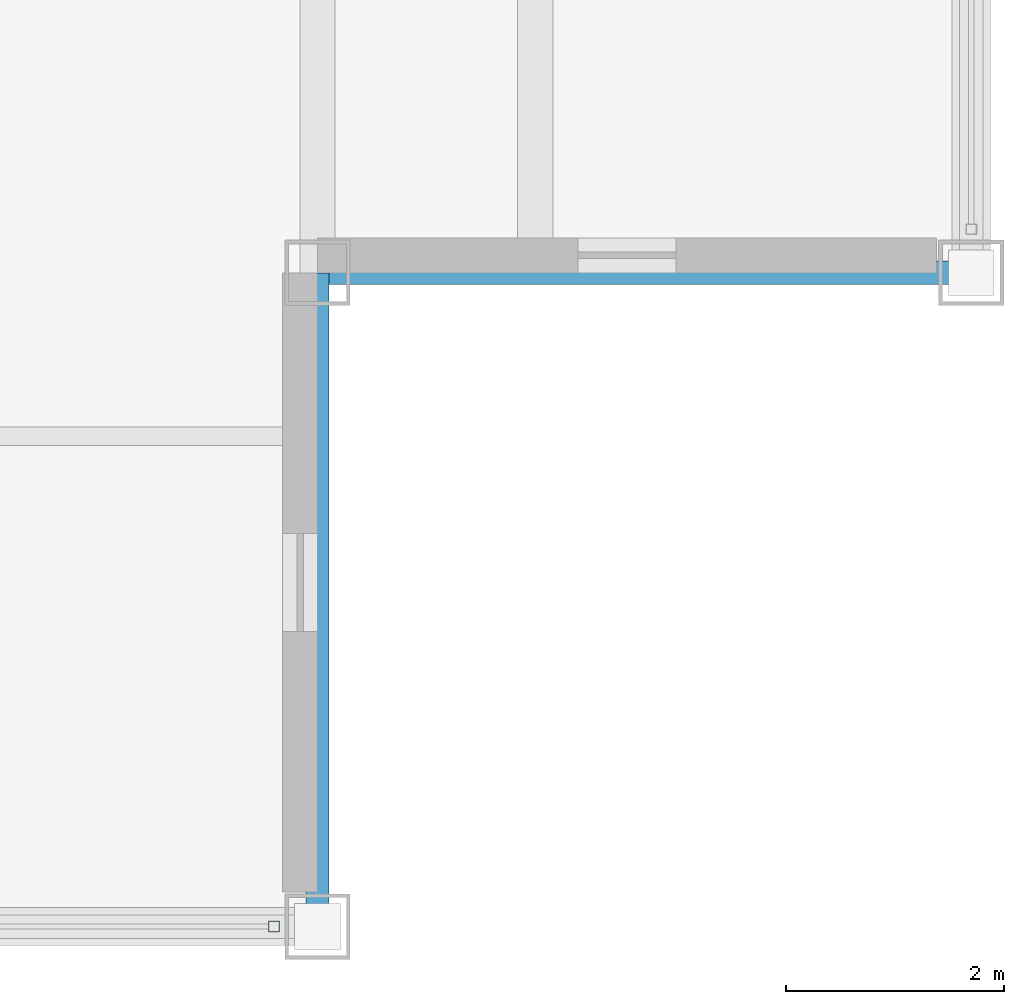
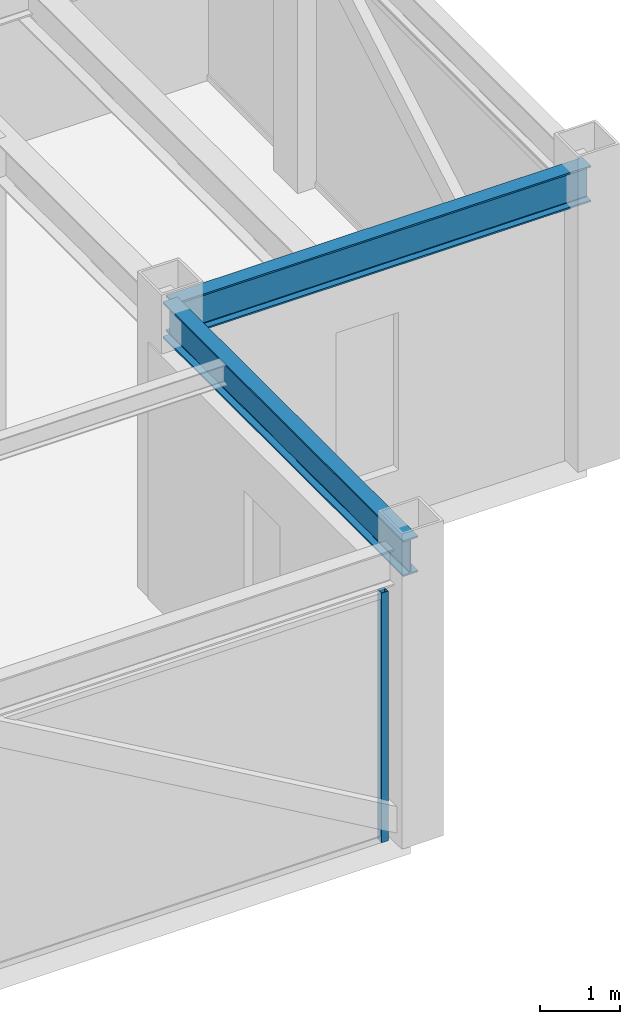
# One storey, part 8 of 27: 2 beams, 1 member, 1 element without a shape of its own.
"""IFC4 building model written with IfcOpenShell, lengths in metres."""

from ifc_helpers import new_model, si_unit, direction, frame, origin, origin_2d, place, context, subcontext, project, spatial, hollow_rectangle, i_section, extrude, source, transform, mapped, material, material_profile, profile_set, type_object, element, aggregate, save


model = new_model("IFC4")

# Units and contexts
model_context = context("Model", 3, precision=1e-05, world=origin(), true_north=direction((0.0, 1.0)))
body_context = subcontext(model_context, "Body", "Model", "MODEL_VIEW")
ifc_project = project(units=[si_unit("LENGTHUNIT", "METRE"), si_unit("AREAUNIT", "SQUARE_METRE"), si_unit("VOLUMEUNIT", "CUBIC_METRE"), si_unit("PLANEANGLEUNIT", "RADIAN"), si_unit("MASSUNIT", "GRAM", prefix="KILO")], contexts=[model_context])

# Site, building, storey
site_placement = place(None, origin())
site = spatial("IfcSite", under=ifc_project, at=site_placement, CompositionType="ELEMENT")
building_placement = place(site_placement, origin())
building = spatial("IfcBuilding", under=site, at=building_placement, Name="Khorayat Bourse Tower", CompositionType="ELEMENT")
storey_placement = place(building_placement, frame((0.0, 0.0, 385.10009765625)))
storey = spatial("IfcBuildingStorey", under=building, at=storey_placement, Name="L91", CompositionType="ELEMENT", Elevation=385.10009765625)

# Beams
ifc_material_1 = material(Name="Steel ASTM A992 Grade 50", Category="steel")
ifc_material_profile_1 = material_profile(ifc_material_1, i_section(OverallWidth=0.214111328125, OverallDepth=0.549072265625, WebThickness=0.0146484375, FlangeThickness=0.023681640625, FilletRadius=0.013916015625, at=origin_2d()), Name="W530X138")
ifc_profile_set_1 = profile_set([ifc_material_profile_1], Name="Steel ASTM A992 Grade 50")
beam_type = type_object("IfcBeamType", Name="BM-SPAN-530", PredefinedType="SPANDREL", material=ifc_profile_set_1)
shared_shape_1 = source(origin(), body_context, "Body", "SweptSolid", [
    extrude(i_section(OverallWidth=0.214111328125, OverallDepth=0.549072265625, WebThickness=0.0146484375, FlangeThickness=0.023681640625, FilletRadius=0.013916015625, at=origin_2d()), origin(), (0.0, 0.0, 1.0), 6.0),
])
for number, where, z_axis, x_axis, name in (
    (1, (18.0, -24.0, 4.17529296875), (0.0, 1.0, 0.0), (-1.0, 0.0, 0.0), "L91 BM-SPAN-530 BM-L91-SPN-030"),
    (2, (18.0, -18.0, 4.17529296875), (1.0, 0.0, 0.0), (0.0, 1.0, 0.0), "L91 BM-SPAN-530 BM-L91-SPN-031"),
):
    element("IfcBeam", number, at=place(storey_placement, frame(where, z_axis=z_axis, x_axis=x_axis)), inside=storey, type_object=beam_type, Name=name, PredefinedType="SPANDREL", context=body_context, shape_type="MappedRepresentation", body=[
        mapped(shared_shape_1, transform((0.0, 0.0, 0.0), scale=1.0)),
    ])

# Curtain wall, member
ifc_material_2 = material(Name="Aluminium EN AW-6063 T6", Category="aluminium")
curtain_wall_type = type_object("IfcCurtainWallType", Name="CW-SYS-07", PredefinedType="NOTDEFINED", material=ifc_material_2)
curtain_wall_placement = place(storey_placement, origin())
curtain_wall = element("IfcCurtainWall", 3, at=curtain_wall_placement, inside=storey, type_object=curtain_wall_type, Name="L91 Curtain Wall CW-L91-S1", PredefinedType="NOTDEFINED")
ifc_material_profile_2 = material_profile(ifc_material_2, hollow_rectangle(XDim=0.10009765625, YDim=0.10009765625, WallThickness=0.0048828125, at=origin_2d()), Name="ALU 100x100x5")
ifc_profile_set_2 = profile_set([ifc_material_profile_2], Name="Aluminium EN AW-6063 T6")
member_type = type_object("IfcMemberType", Name="CWM-LANTERN-100", PredefinedType="MULLION", material=ifc_profile_set_2)
shared_shape_2 = source(origin(), body_context, "Body", "SweptSolid", [
    extrude(hollow_rectangle(XDim=0.10009765625, YDim=0.10009765625, WallThickness=0.0048828125, at=origin_2d()), origin(), (0.0, 0.0, 1.0), 3.7998046875),
])
member_placement = place(storey_placement, frame((17.60009765625, -24.0, 0.0), z_axis=(0.0, 0.0, 1.0), x_axis=(0.0, 1.0, 0.0)))
member = element("IfcMember", 4, at=member_placement, type_object=member_type, Name="CW-L91-S1 Vertical Mullion 3", PredefinedType="MULLION", context=body_context, shape_type="MappedRepresentation", body=[
    mapped(shared_shape_2, transform((0.0, 0.0, 0.0), scale=1.0)),
])
aggregate(curtain_wall, [member])

save(model, "model.ifc")
